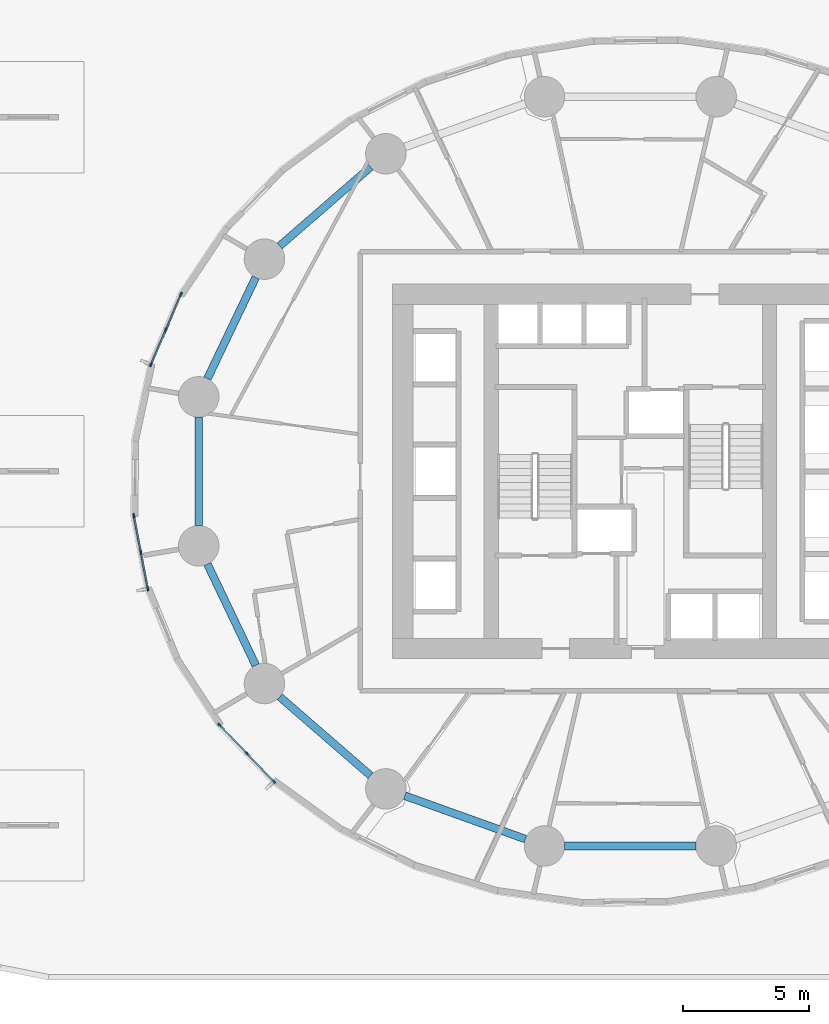
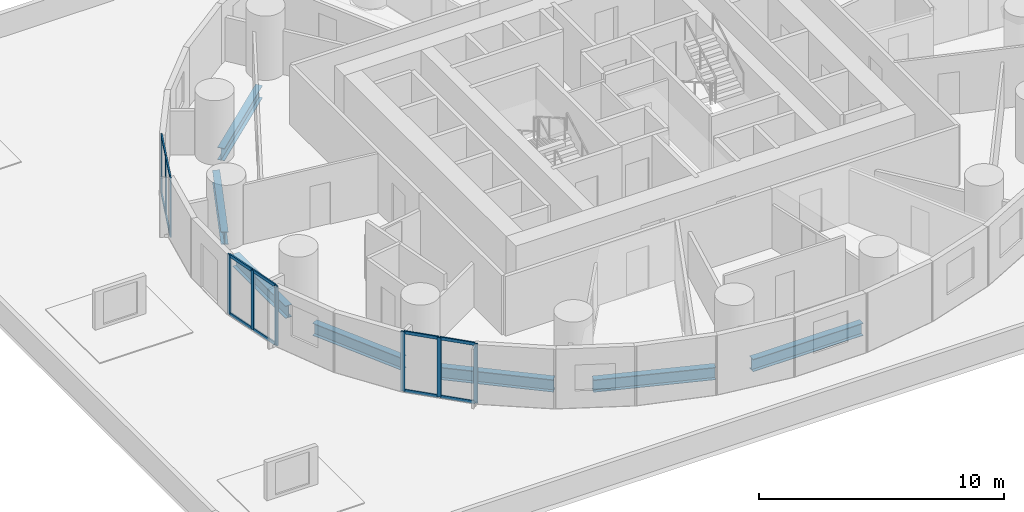
# One storey, part 2 of 12: 21 members, 7 beams, 3 elements without a shape of their own.
"""IFC4 building model written with IfcOpenShell, lengths in metres."""

from ifc_helpers import new_model, si_unit, direction, frame, origin, origin_2d, place, context, subcontext, project, spatial, rectangle, i_section, extrude, material, material_profile, profile_set, type_object, element, aggregate, save


model = new_model("IFC4")

# Units and contexts
model_context = context("Model", 3, precision=1e-05, world=origin(), true_north=direction((0.0, 1.0)))
body_context = subcontext(model_context, "Body", "Model", "MODEL_VIEW")
ifc_project = project(units=[si_unit("LENGTHUNIT", "METRE"), si_unit("AREAUNIT", "SQUARE_METRE"), si_unit("VOLUMEUNIT", "CUBIC_METRE"), si_unit("PLANEANGLEUNIT", "RADIAN"), si_unit("MASSUNIT", "GRAM", prefix="KILO")], contexts=[model_context])

# Site, building, storey
site_placement = place(None, origin())
site = spatial("IfcSite", under=ifc_project, at=site_placement, CompositionType="ELEMENT")
building_placement = place(site_placement, origin())
building = spatial("IfcBuilding", under=site, at=building_placement, Name="Veldorim Arch Residences", CompositionType="ELEMENT")
storey_placement = place(building_placement, frame((0.0, 0.0, 24.800048828125)))
storey = spatial("IfcBuildingStorey", under=building, at=storey_placement, Name="L06", CompositionType="ELEMENT", Elevation=24.800048828125)

# Beams
ifc_material_1 = material(Name="Steel S355", Category="steel")
ifc_material_profile_1 = material_profile(ifc_material_1, i_section(OverallWidth=0.30712890625, OverallDepth=0.6201171875, WebThickness=0.01416015625, FlangeThickness=0.023681640625, at=origin_2d()), Name="UB610x305x179")
ifc_profile_set_1 = profile_set([ifc_material_profile_1], Name="Steel S355")
beam_type = type_object("IfcBeamType", Name="Structural Steel Beam UB610x305x179", PredefinedType="BEAM", material=ifc_profile_set_1)
beam_1_placement = place(storey_placement, frame((21.72900390625, 36.031005859375, -0.550048828125), z_axis=(-0.755235029424, -0.655454079499, 0.0), x_axis=(0.655454079499, -0.755235029424, 0.0)))
element("IfcBeam", 1, at=beam_1_placement, inside=storey, type_object=beam_type, Name="L06 perimeter ring tie beam 06", PredefinedType="BEAM", context=body_context, shape_type="SweptSolid", body=[
    extrude(i_section(OverallWidth=0.30712890625, OverallDepth=0.6201171875, WebThickness=0.01416015625, FlangeThickness=0.023681640625, at=origin_2d()), origin(), (0.0, 0.0, 1.0), 4.756591796875),
])
beam_2_placement = place(storey_placement, frame((17.187744140625, 31.6669921875, -0.550048828125), z_axis=(-0.430786696724, -0.902453778276, 0.0), x_axis=(0.902453778276, -0.430786696724, 0.0)))
element("IfcBeam", 2, at=beam_2_placement, inside=storey, type_object=beam_type, Name="L06 perimeter ring tie beam 07", PredefinedType="BEAM", context=body_context, shape_type="SweptSolid", body=[
    extrude(i_section(OverallWidth=0.30712890625, OverallDepth=0.6201171875, WebThickness=0.01416015625, FlangeThickness=0.023681640625, at=origin_2d()), origin(), (0.0, 0.0, 1.0), 4.431396484375),
])
beam_3_placement = place(storey_placement, frame((14.934326171875, 26.14599609375, -0.550048828125), z_axis=(0.0, -1.0, 0.0), x_axis=(1.0, 0.0, 0.0)))
element("IfcBeam", 3, at=beam_3_placement, inside=storey, type_object=beam_type, Name="L06 perimeter ring tie beam 08", PredefinedType="BEAM", context=body_context, shape_type="SweptSolid", body=[
    extrude(i_section(OverallWidth=0.30712890625, OverallDepth=0.6201171875, WebThickness=0.01416015625, FlangeThickness=0.023681640625, at=origin_2d()), origin(), (0.0, 0.0, 1.0), 4.2919921875),
])
beam_4_placement = place(storey_placement, frame((15.27880859375, 20.33203125, -0.550048828125), z_axis=(0.430786696724, -0.902453778276, 0.0), x_axis=(0.902453778276, 0.430786696724, 0.0)))
element("IfcBeam", 4, at=beam_4_placement, inside=storey, type_object=beam_type, Name="L06 perimeter ring tie beam 09", PredefinedType="BEAM", context=body_context, shape_type="SweptSolid", body=[
    extrude(i_section(OverallWidth=0.30712890625, OverallDepth=0.6201171875, WebThickness=0.01416015625, FlangeThickness=0.023681640625, at=origin_2d()), origin(), (0.0, 0.0, 1.0), 4.431396484375),
])
beam_5_placement = place(storey_placement, frame((18.13671875, 15.086669921875, -0.550048828125), z_axis=(0.755235029424, -0.655454079499, 0.0), x_axis=(0.655454079499, 0.755235029424, 0.0)))
element("IfcBeam", 5, at=beam_5_placement, inside=storey, type_object=beam_type, Name="L06 perimeter ring tie beam 10", PredefinedType="BEAM", context=body_context, shape_type="SweptSolid", body=[
    extrude(i_section(OverallWidth=0.30712890625, OverallDepth=0.6201171875, WebThickness=0.01416015625, FlangeThickness=0.023681640625, at=origin_2d()), origin(), (0.0, 0.0, 1.0), 4.756591796875),
])
beam_6_placement = place(storey_placement, frame((23.0859375, 11.17431640625, -0.550048828125), z_axis=(0.94103540046, -0.338308106732, 0.0), x_axis=(0.338308106732, 0.94103540046, 0.0)))
element("IfcBeam", 6, at=beam_6_placement, inside=storey, type_object=beam_type, Name="L06 perimeter ring tie beam 11", PredefinedType="BEAM", context=body_context, shape_type="SweptSolid", body=[
    extrude(i_section(OverallWidth=0.30712890625, OverallDepth=0.6201171875, WebThickness=0.01416015625, FlangeThickness=0.023681640625, at=origin_2d()), origin(), (0.0, 0.0, 1.0), 5.065185546875),
])
beam_7_placement = place(storey_placement, frame((29.405517578125, 9.190185546875, -0.550048828125), z_axis=(1.0, 0.0, 0.0), x_axis=(0.0, 1.0, 0.0)))
element("IfcBeam", 7, at=beam_7_placement, inside=storey, type_object=beam_type, Name="L06 perimeter ring tie beam 12", PredefinedType="BEAM", context=body_context, shape_type="SweptSolid", body=[
    extrude(i_section(OverallWidth=0.30712890625, OverallDepth=0.6201171875, WebThickness=0.01416015625, FlangeThickness=0.023681640625, at=origin_2d()), origin(), (0.0, 0.0, 1.0), 5.18896484375),
])

# Curtain wall, members
ifc_material_2 = material(Name="Aluminium", Category="aluminium")
curtain_wall_type = type_object("IfcCurtainWallType", Name="Zone 1 Acoustic Low-E Unitised Curtain Wall", PredefinedType="NOTDEFINED", material=ifc_material_2)
curtain_wall_1_placement = place(storey_placement, origin())
curtain_wall_1 = element("IfcCurtainWall", 8, at=curtain_wall_1_placement, inside=storey, type_object=curtain_wall_type, Name="L06 unitised curtain wall bay 16", PredefinedType="NOTDEFINED")
ifc_material_3 = material(Name="Aluminium", Category="aluminium")
ifc_material_profile_2 = material_profile(ifc_material_3, rectangle(XDim=0.06494140625, YDim=0.175048828125, at=origin_2d()), Name="ALU_MUL_65x175")
ifc_profile_set_2 = profile_set([ifc_material_profile_2], Name="Aluminium")
member_type_1 = type_object("IfcMemberType", Name="Zone 1 Acoustic Low-E Unitised Curtain Wall Mullion 65x175", PredefinedType="MULLION", material=ifc_profile_set_2)
member_1_placement = place(storey_placement, frame((13.044677734375, 28.219970703125, 0.0), z_axis=(0.0, 0.0, 1.0), x_axis=(-0.919222162015, 0.393739275232, 0.0)))
member_1 = element("IfcMember", 9, at=member_1_placement, type_object=member_type_1, Name="CW-Z1 mullion 1", PredefinedType="MULLION", context=body_context, shape_type="SweptSolid", body=[
    extrude(rectangle(XDim=0.06494140625, YDim=0.175048828125, at=origin_2d()), origin(), (0.0, 0.0, 1.0), 2.9599609375),
])
member_2_placement = place(storey_placement, frame((13.63916015625, 29.607421875, 0.0), z_axis=(0.0, 0.0, 1.0), x_axis=(-0.919222162015, 0.393739275232, 0.0)))
member_2 = element("IfcMember", 10, at=member_2_placement, type_object=member_type_1, Name="CW-Z1 mullion 2", PredefinedType="MULLION", context=body_context, shape_type="SweptSolid", body=[
    extrude(rectangle(XDim=0.06494140625, YDim=0.175048828125, at=origin_2d()), origin(), (0.0, 0.0, 1.0), 2.9599609375),
])
member_3_placement = place(storey_placement, frame((14.2333984375, 30.9951171875, 0.0), z_axis=(0.0, 0.0, 1.0), x_axis=(-0.919222162015, 0.393739275232, 0.0)))
member_3 = element("IfcMember", 11, at=member_3_placement, type_object=member_type_1, Name="CW-Z1 mullion 3", PredefinedType="MULLION", context=body_context, shape_type="SweptSolid", body=[
    extrude(rectangle(XDim=0.06494140625, YDim=0.175048828125, at=origin_2d()), origin(), (0.0, 0.0, 1.0), 2.9599609375),
])

curtain_wall_2_placement = place(storey_placement, origin())
curtain_wall_2 = element("IfcCurtainWall", 12, at=curtain_wall_2_placement, inside=storey, type_object=curtain_wall_type, Name="L06 unitised curtain wall bay 19", PredefinedType="NOTDEFINED")
member_4_placement = place(storey_placement, frame((12.9208984375, 19.360595703125, 0.0), z_axis=(0.0, 0.0, 1.0), x_axis=(-0.982317566124, -0.187222325819, 0.0)))
member_4 = element("IfcMember", 13, at=member_4_placement, type_object=member_type_1, Name="CW-Z1 mullion 1", PredefinedType="MULLION", context=body_context, shape_type="SweptSolid", body=[
    extrude(rectangle(XDim=0.06494140625, YDim=0.175048828125, at=origin_2d()), origin(), (0.0, 0.0, 1.0), 2.9599609375),
])
member_5_placement = place(storey_placement, frame((12.64599609375, 20.802978515625, 0.0), z_axis=(0.0, 0.0, 1.0), x_axis=(-0.982317566124, -0.187222325819, 0.0)))
member_5 = element("IfcMember", 14, at=member_5_placement, type_object=member_type_1, Name="CW-Z1 mullion 2", PredefinedType="MULLION", context=body_context, shape_type="SweptSolid", body=[
    extrude(rectangle(XDim=0.06494140625, YDim=0.175048828125, at=origin_2d()), origin(), (0.0, 0.0, 1.0), 2.9599609375),
])
member_6_placement = place(storey_placement, frame((12.37109375, 22.245361328125, 0.0), z_axis=(0.0, 0.0, 1.0), x_axis=(-0.982317566124, -0.187222325819, 0.0)))
member_6 = element("IfcMember", 15, at=member_6_placement, type_object=member_type_1, Name="CW-Z1 mullion 3", PredefinedType="MULLION", context=body_context, shape_type="SweptSolid", body=[
    extrude(rectangle(XDim=0.06494140625, YDim=0.175048828125, at=origin_2d()), origin(), (0.0, 0.0, 1.0), 2.9599609375),
])

curtain_wall_3_placement = place(storey_placement, origin())
curtain_wall_3 = element("IfcCurtainWall", 16, at=curtain_wall_3_placement, inside=storey, type_object=curtain_wall_type, Name="L06 unitised curtain wall bay 22", PredefinedType="NOTDEFINED")
member_7_placement = place(storey_placement, frame((17.904541015625, 11.740234375, 0.0), z_axis=(0.0, 0.0, 1.0), x_axis=(-0.720420523139, -0.693537504278, 0.0)))
member_7 = element("IfcMember", 17, at=member_7_placement, type_object=member_type_1, Name="CW-Z1 mullion 1", PredefinedType="MULLION", context=body_context, shape_type="SweptSolid", body=[
    extrude(rectangle(XDim=0.06494140625, YDim=0.175048828125, at=origin_2d()), origin(), (0.0, 0.0, 1.0), 2.9599609375),
])
member_8_placement = place(storey_placement, frame((16.833251953125, 12.85302734375, 0.0), z_axis=(0.0, 0.0, 1.0), x_axis=(-0.720420523139, -0.693537504278, 0.0)))
member_8 = element("IfcMember", 18, at=member_8_placement, type_object=member_type_1, Name="CW-Z1 mullion 2", PredefinedType="MULLION", context=body_context, shape_type="SweptSolid", body=[
    extrude(rectangle(XDim=0.06494140625, YDim=0.175048828125, at=origin_2d()), origin(), (0.0, 0.0, 1.0), 2.9599609375),
])
member_9_placement = place(storey_placement, frame((15.76171875, 13.9658203125, 0.0), z_axis=(0.0, 0.0, 1.0), x_axis=(-0.720420523139, -0.693537504278, 0.0)))
member_9 = element("IfcMember", 19, at=member_9_placement, type_object=member_type_1, Name="CW-Z1 mullion 3", PredefinedType="MULLION", context=body_context, shape_type="SweptSolid", body=[
    extrude(rectangle(XDim=0.06494140625, YDim=0.175048828125, at=origin_2d()), origin(), (0.0, 0.0, 1.0), 2.9599609375),
])

# Member
ifc_material_4 = material(Name="Aluminium", Category="aluminium")
ifc_material_profile_3 = material_profile(ifc_material_4, rectangle(XDim=0.06494140625, YDim=0.14990234375, at=origin_2d()), Name="ALU_TRN_65x150")
ifc_profile_set_3 = profile_set([ifc_material_profile_3], Name="Aluminium")
member_type_2 = type_object("IfcMemberType", Name="Zone 1 Acoustic Low-E Unitised Curtain Wall Transom 65x150", PredefinedType="USERDEFINED", material=ifc_profile_set_3)
member_10_placement = place(storey_placement, frame((13.057373046875, 28.249755859375, 0.032470703125), z_axis=(0.393776515602, 0.919206209596, 0.0), x_axis=(-0.919206209596, 0.393776515602, 0.0)))
member_10 = element("IfcMember", 20, at=member_10_placement, type_object=member_type_2, Name="CW-Z1 transom 1.1", ObjectType="TRANSOM", PredefinedType="USERDEFINED", context=body_context, shape_type="SweptSolid", body=[
    extrude(rectangle(XDim=0.06494140625, YDim=0.14990234375, at=origin_2d()), origin(), (0.0, 0.0, 1.0), 1.444580078125),
])

member_11_placement = place(storey_placement, frame((13.057373046875, 28.249755859375, 2.927490234375), z_axis=(0.393776515602, 0.919206209596, 0.0), x_axis=(-0.919206209596, 0.393776515602, 0.0)))
member_11 = element("IfcMember", 21, at=member_11_placement, type_object=member_type_2, Name="CW-Z1 transom 1.2", ObjectType="TRANSOM", PredefinedType="USERDEFINED", context=body_context, shape_type="SweptSolid", body=[
    extrude(rectangle(XDim=0.06494140625, YDim=0.14990234375, at=origin_2d()), origin(), (0.0, 0.0, 1.0), 1.444580078125),
])

member_12_placement = place(storey_placement, frame((13.65185546875, 29.63720703125, 0.032470703125), z_axis=(0.393776515602, 0.919206209596, 0.0), x_axis=(-0.919206209596, 0.393776515602, 0.0)))
member_12 = element("IfcMember", 22, at=member_12_placement, type_object=member_type_2, Name="CW-Z1 transom 2.1", ObjectType="TRANSOM", PredefinedType="USERDEFINED", context=body_context, shape_type="SweptSolid", body=[
    extrude(rectangle(XDim=0.06494140625, YDim=0.14990234375, at=origin_2d()), origin(), (0.0, 0.0, 1.0), 1.444580078125),
])

member_13_placement = place(storey_placement, frame((13.65185546875, 29.63720703125, 2.927490234375), z_axis=(0.393776515602, 0.919206209596, 0.0), x_axis=(-0.919206209596, 0.393776515602, 0.0)))
member_13 = element("IfcMember", 23, at=member_13_placement, type_object=member_type_2, Name="CW-Z1 transom 2.2", ObjectType="TRANSOM", PredefinedType="USERDEFINED", context=body_context, shape_type="SweptSolid", body=[
    extrude(rectangle(XDim=0.06494140625, YDim=0.14990234375, at=origin_2d()), origin(), (0.0, 0.0, 1.0), 1.444580078125),
])

aggregate(curtain_wall_1, [member_1, member_2, member_3, member_10, member_11, member_12, member_13])

member_14_placement = place(storey_placement, frame((12.914794921875, 19.392578125, 0.032470703125), z_axis=(-0.187176056103, 0.982326383654, 0.0), x_axis=(-0.982326383654, -0.187176056103, 0.0)))
member_14 = element("IfcMember", 24, at=member_14_placement, type_object=member_type_2, Name="CW-Z1 transom 1.1", ObjectType="TRANSOM", PredefinedType="USERDEFINED", context=body_context, shape_type="SweptSolid", body=[
    extrude(rectangle(XDim=0.06494140625, YDim=0.14990234375, at=origin_2d()), origin(), (0.0, 0.0, 1.0), 1.403564453125),
])

member_15_placement = place(storey_placement, frame((12.914794921875, 19.392578125, 2.927490234375), z_axis=(-0.187176056103, 0.982326383654, 0.0), x_axis=(-0.982326383654, -0.187176056103, 0.0)))
member_15 = element("IfcMember", 25, at=member_15_placement, type_object=member_type_2, Name="CW-Z1 transom 1.2", ObjectType="TRANSOM", PredefinedType="USERDEFINED", context=body_context, shape_type="SweptSolid", body=[
    extrude(rectangle(XDim=0.06494140625, YDim=0.14990234375, at=origin_2d()), origin(), (0.0, 0.0, 1.0), 1.403564453125),
])

member_16_placement = place(storey_placement, frame((12.639892578125, 20.8349609375, 0.032470703125), z_axis=(-0.187176056103, 0.982326383654, 0.0), x_axis=(-0.982326383654, -0.187176056103, 0.0)))
member_16 = element("IfcMember", 26, at=member_16_placement, type_object=member_type_2, Name="CW-Z1 transom 2.1", ObjectType="TRANSOM", PredefinedType="USERDEFINED", context=body_context, shape_type="SweptSolid", body=[
    extrude(rectangle(XDim=0.06494140625, YDim=0.14990234375, at=origin_2d()), origin(), (0.0, 0.0, 1.0), 1.403564453125),
])

member_17_placement = place(storey_placement, frame((12.639892578125, 20.8349609375, 2.927490234375), z_axis=(-0.187176056103, 0.982326383654, 0.0), x_axis=(-0.982326383654, -0.187176056103, 0.0)))
member_17 = element("IfcMember", 27, at=member_17_placement, type_object=member_type_2, Name="CW-Z1 transom 2.2", ObjectType="TRANSOM", PredefinedType="USERDEFINED", context=body_context, shape_type="SweptSolid", body=[
    extrude(rectangle(XDim=0.06494140625, YDim=0.14990234375, at=origin_2d()), origin(), (0.0, 0.0, 1.0), 1.403564453125),
])

aggregate(curtain_wall_2, [member_4, member_5, member_6, member_14, member_15, member_16, member_17])

member_18_placement = place(storey_placement, frame((17.8818359375, 11.763427734375, 0.032470703125), z_axis=(-0.693448255171, 0.7205064312, 0.0), x_axis=(-0.7205064312, -0.693448255171, 0.0)))
member_18 = element("IfcMember", 28, at=member_18_placement, type_object=member_type_2, Name="CW-Z1 transom 1.1", ObjectType="TRANSOM", PredefinedType="USERDEFINED", context=body_context, shape_type="SweptSolid", body=[
    extrude(rectangle(XDim=0.06494140625, YDim=0.14990234375, at=origin_2d()), origin(), (0.0, 0.0, 1.0), 1.479736328125),
])

member_19_placement = place(storey_placement, frame((17.8818359375, 11.763427734375, 2.927490234375), z_axis=(-0.693448255171, 0.7205064312, 0.0), x_axis=(-0.7205064312, -0.693448255171, 0.0)))
member_19 = element("IfcMember", 29, at=member_19_placement, type_object=member_type_2, Name="CW-Z1 transom 1.2", ObjectType="TRANSOM", PredefinedType="USERDEFINED", context=body_context, shape_type="SweptSolid", body=[
    extrude(rectangle(XDim=0.06494140625, YDim=0.14990234375, at=origin_2d()), origin(), (0.0, 0.0, 1.0), 1.479736328125),
])

member_20_placement = place(storey_placement, frame((16.810546875, 12.87646484375, 0.032470703125), z_axis=(-0.693530694473, 0.720427078769, 0.0), x_axis=(-0.720427078769, -0.693530694473, 0.0)))
member_20 = element("IfcMember", 30, at=member_20_placement, type_object=member_type_2, Name="CW-Z1 transom 2.1", ObjectType="TRANSOM", PredefinedType="USERDEFINED", context=body_context, shape_type="SweptSolid", body=[
    extrude(rectangle(XDim=0.06494140625, YDim=0.14990234375, at=origin_2d()), origin(), (0.0, 0.0, 1.0), 1.4794921875),
])

member_21_placement = place(storey_placement, frame((16.810546875, 12.87646484375, 2.927490234375), z_axis=(-0.693530694473, 0.720427078769, 0.0), x_axis=(-0.720427078769, -0.693530694473, 0.0)))
member_21 = element("IfcMember", 31, at=member_21_placement, type_object=member_type_2, Name="CW-Z1 transom 2.2", ObjectType="TRANSOM", PredefinedType="USERDEFINED", context=body_context, shape_type="SweptSolid", body=[
    extrude(rectangle(XDim=0.06494140625, YDim=0.14990234375, at=origin_2d()), origin(), (0.0, 0.0, 1.0), 1.4794921875),
])

aggregate(curtain_wall_3, [member_7, member_8, member_9, member_18, member_19, member_20, member_21])

save(model, "model.ifc")
